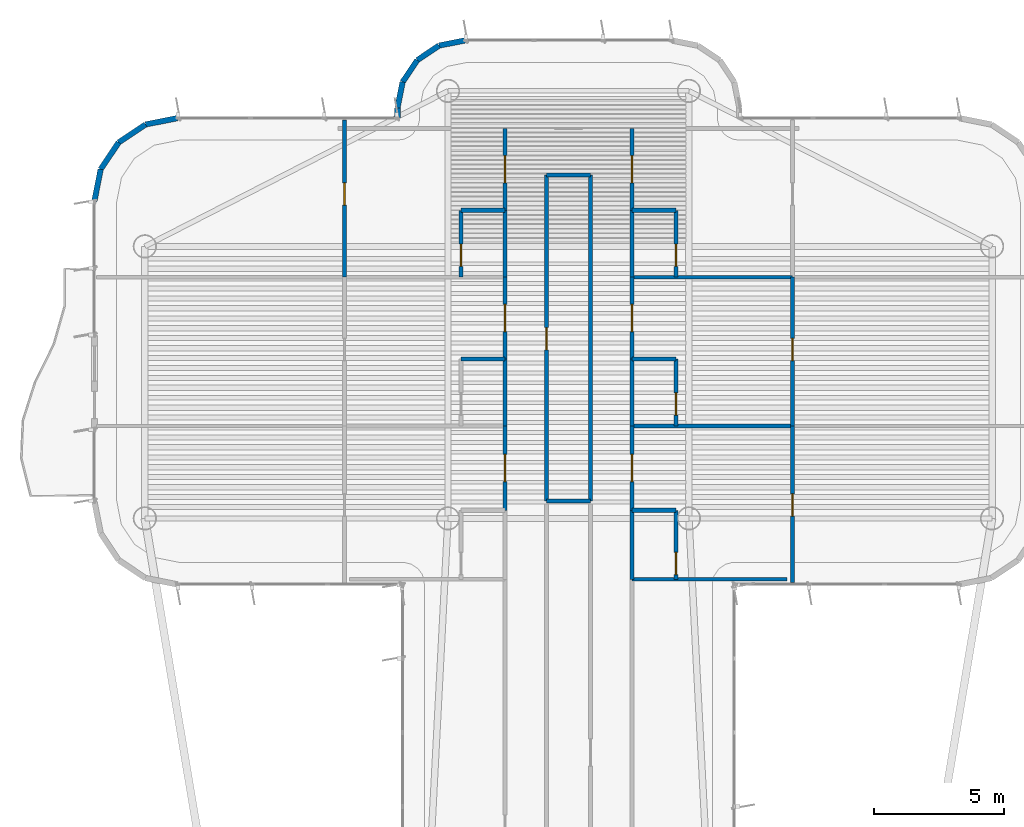
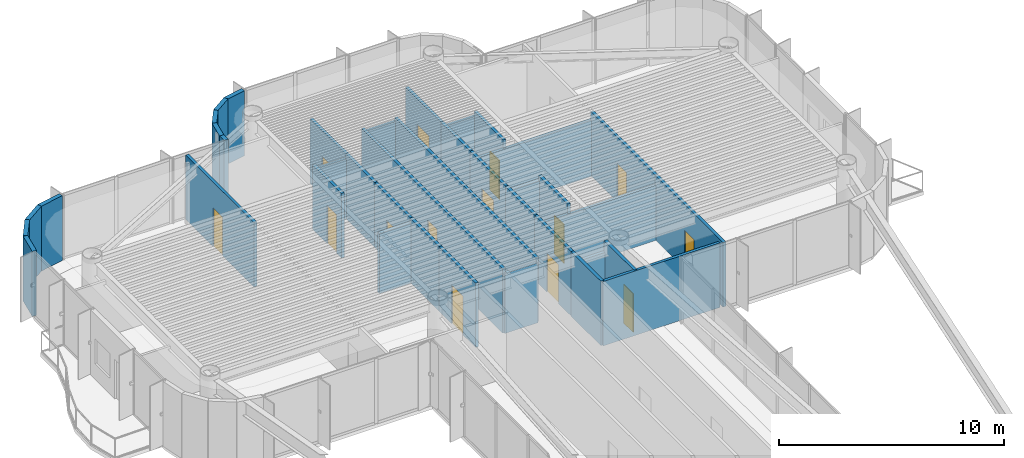
# One storey, part 12 of 16: 39 walls, 14 doors, 14 openings.
"""IFC4 building model written with IfcOpenShell, lengths in metres."""

from ifc_helpers import new_model, si_unit, direction, frame, frame_2d, origin, origin_2d, place, context, subcontext, project, spatial, rectangle, extrude, source, transform, mapped, material, layer, layer_set, type_object, element, fill, save


model = new_model("IFC4")

# Units and contexts
model_context = context("Model", 3, precision=1e-05, world=origin(), true_north=direction((0.0, 1.0)))
body_context = subcontext(model_context, "Body", "Model", "MODEL_VIEW")
ifc_project = project(units=[si_unit("LENGTHUNIT", "METRE"), si_unit("AREAUNIT", "SQUARE_METRE"), si_unit("VOLUMEUNIT", "CUBIC_METRE"), si_unit("PLANEANGLEUNIT", "RADIAN"), si_unit("MASSUNIT", "GRAM", prefix="KILO")], contexts=[model_context])

# Site, building, storey
site_placement = place(None, origin())
site = spatial("IfcSite", under=ifc_project, at=site_placement, CompositionType="ELEMENT")
building_placement = place(site_placement, origin())
building = spatial("IfcBuilding", under=site, at=building_placement, Name="Brelvock Crest Care Tower", CompositionType="ELEMENT")
storey_placement = place(building_placement, frame((0.0, 0.0, 234.360107421875)))
storey = spatial("IfcBuildingStorey", under=building, at=storey_placement, Name="L59", CompositionType="ELEMENT", Elevation=234.360107421875)

# Walls
ifc_material_1 = material(Name="Precast concrete N40 (40 MPa)", Category="concrete")
ifc_layer_1 = layer(ifc_material_1, 0.215087890625, Name="WL-EX2")
ifc_layer_set_1 = layer_set([ifc_layer_1], Name="Precast concrete N40 (40 MPa)")
wall_type_1 = type_object("IfcWallType", Name="WL-EX2", PredefinedType="SOLIDWALL", material=ifc_layer_set_1)
for number, where, z_axis, x_axis, name in (
    (1, (17.699951171875, 56.199951171875, 0.0), (0.0, 0.0, 1.0), (0.195138390419, 0.980775717779, 0.0), "L59 Rounded Corner Wall 18"),
    (2, (17.943603515625, 57.424560546875, 0.0), (0.0, 0.0, 1.0), (0.555557312883, 0.831478245117, 0.0), "L59 Rounded Corner Wall 19"),
    (3, (18.63720703125, 58.462646484375, 0.0), (0.0, 0.0, 1.0), (0.831387912822, 0.555692485475, 0.0), "L59 Rounded Corner Wall 20"),
    (4, (19.67529296875, 59.156494140625, 0.0), (0.0, 0.0, 1.0), (0.980813122964, 0.194950295773, 0.0), "L59 Rounded Corner Wall 21"),
):
    element("IfcWall", number, at=place(storey_placement, frame(where, z_axis=z_axis, x_axis=x_axis)), inside=storey, type_object=wall_type_1, Name=name, PredefinedType="SOLIDWALL", context=body_context, shape_type="SweptSolid", body=[
        extrude(rectangle(XDim=1.24853515625, YDim=0.215087890625, at=frame_2d((0.624267578125, 0.0))), origin(), (0.0, 0.0, 1.0), 3.52978515625),
    ])
wall_1_placement = place(storey_placement, frame((29.39990234375, 59.39990234375, 0.0), z_axis=(0.0, 0.0, 1.0), x_axis=(0.0, 1.0, 0.0)))
element("IfcWall", 5, at=wall_1_placement, inside=storey, type_object=wall_type_1, Name="L59 Rounded Corner Wall 23", PredefinedType="SOLIDWALL", context=body_context, shape_type="SweptSolid", body=[
    extrude(rectangle(XDim=0.400146484375, YDim=0.215087890625, at=frame_2d((0.2001953125, 0.0))), origin(), (0.0, 0.0, 1.0), 3.52978515625),
])
wall_2_placement = place(storey_placement, frame((29.39990234375, 59.800048828125, 0.0), z_axis=(0.0, 0.0, 1.0), x_axis=(0.195190360752, 0.980765376158, 0.0)))
element("IfcWall", 6, at=wall_2_placement, inside=storey, type_object=wall_type_1, Name="L59 Rounded Corner Wall 24", PredefinedType="SOLIDWALL", context=body_context, shape_type="SweptSolid", body=[
    extrude(rectangle(XDim=1.014404296875, YDim=0.215087890625, at=frame_2d((0.50732421875, 0.0))), origin(), (0.0, 0.0, 1.0), 3.52978515625),
])
wall_3_placement = place(storey_placement, frame((29.597900390625, 60.794921875, 0.0), z_axis=(0.0, 0.0, 1.0), x_axis=(0.555643898837, 0.831420385657, 0.0)))
element("IfcWall", 7, at=wall_3_placement, inside=storey, type_object=wall_type_1, Name="L59 Rounded Corner Wall 25", PredefinedType="SOLIDWALL", context=body_context, shape_type="SweptSolid", body=[
    extrude(rectangle(XDim=1.0146484375, YDim=0.215087890625, at=frame_2d((0.50732421875, 0.0))), origin(), (0.0, 0.0, 1.0), 3.52978515625),
])
wall_4_placement = place(storey_placement, frame((30.16162109375, 61.638427734375, 0.0), z_axis=(0.0, 0.0, 1.0), x_axis=(0.831346067305, 0.555755086685, 0.0)))
element("IfcWall", 8, at=wall_4_placement, inside=storey, type_object=wall_type_1, Name="L59 Rounded Corner Wall 26", PredefinedType="SOLIDWALL", context=body_context, shape_type="SweptSolid", body=[
    extrude(rectangle(XDim=1.014404296875, YDim=0.215087890625, at=frame_2d((0.50732421875, 0.0))), origin(), (0.0, 0.0, 1.0), 3.52978515625),
])
wall_5_placement = place(storey_placement, frame((31.0048828125, 62.2021484375, 0.0), z_axis=(0.0, 0.0, 1.0), x_axis=(0.980820570666, 0.194912821943, 0.0)))
element("IfcWall", 9, at=wall_5_placement, inside=storey, type_object=wall_type_1, Name="L59 Rounded Corner Wall 27", PredefinedType="SOLIDWALL", context=body_context, shape_type="SweptSolid", body=[
    extrude(rectangle(XDim=1.0146484375, YDim=0.215087890625, at=frame_2d((0.50732421875, 0.0))), origin(), (0.0, 0.0, 1.0), 3.52978515625),
])
ifc_material_2 = material(Name="Masonry Blockwork Acoustic Partition", Category="masonry")
ifc_layer_2 = layer(ifc_material_2, 0.14990234375, Name="WL-INT1")
ifc_layer_set_2 = layer_set([ifc_layer_2], Name="Masonry Blockwork Acoustic Partition")
wall_type_2 = type_object("IfcWallType", Name="WL-INT1", PredefinedType="PARTITIONING", material=ifc_layer_set_2)
wall_6_placement = place(storey_placement, frame((38.449951171875, 41.60009765625, 0.0), z_axis=(0.0, 0.0, 1.0), x_axis=(1.0, 0.0, 0.0)))
element("IfcWall", 10, at=wall_6_placement, inside=storey, type_object=wall_type_2, Name="L59 Interior Wall WL-BX-L59-CS-ES1-S", PredefinedType="PARTITIONING", context=body_context, shape_type="SweptSolid", body=[
    extrude(rectangle(XDim=5.993408203125, YDim=0.14990234375, at=frame_2d((2.99658203125, 0.0))), origin(), (0.0, 0.0, 1.0), 3.5),
])
wall_7_placement = place(storey_placement, frame((35.14990234375, 44.6201171875, 0.0), z_axis=(0.0, 0.0, 1.0), x_axis=(1.0, 0.0, 0.0)))
element("IfcWall", 11, at=wall_7_placement, inside=storey, type_object=wall_type_2, Name="L59 Interior Wall WL-BX-L59-ISKT-S", PredefinedType="PARTITIONING", context=body_context, shape_type="SweptSolid", body=[
    extrude(rectangle(XDim=1.7001953125, YDim=0.14990234375, at=frame_2d((0.85009765625, 0.0))), origin(), (0.0, 0.0, 1.0), 3.2587890625),
])
wall_8_placement = place(storey_placement, frame((38.449951171875, 47.51611328125, 0.0), z_axis=(0.0, 0.0, 1.0), x_axis=(1.0, 0.0, 0.0)))
element("IfcWall", 12, at=wall_8_placement, inside=storey, type_object=wall_type_2, Name="L59 Interior Wall WL-BX-L59-CS-ES1-N", PredefinedType="PARTITIONING", context=body_context, shape_type="SweptSolid", body=[
    extrude(rectangle(XDim=6.199951171875, YDim=0.14990234375, at=frame_2d((3.10009765625, 0.0))), origin(), (0.0, 0.0, 1.0), 2.98193359375),
])
wall_9_placement = place(storey_placement, frame((38.449951171875, 53.258056640625, 0.0), z_axis=(0.0, 0.0, 1.0), x_axis=(1.0, 0.0, 0.0)))
element("IfcWall", 13, at=wall_9_placement, inside=storey, type_object=wall_type_2, Name="L59 Interior Wall WL-BX-L59-CS-ES2-N", PredefinedType="PARTITIONING", context=body_context, shape_type="SweptSolid", body=[
    extrude(rectangle(XDim=6.199951171875, YDim=0.14990234375, at=frame_2d((3.10009765625, 0.0))), origin(), (0.0, 0.0, 1.0), 3.054931640625),
])
wall_10_placement = place(storey_placement, frame((35.14990234375, 57.199951171875, 0.0), z_axis=(0.0, 0.0, 1.0), x_axis=(1.0, 0.0, 0.0)))
element("IfcWall", 14, at=wall_10_placement, inside=storey, type_object=wall_type_2, Name="L59 Interior Wall WL-BX-L59-ISKT-N", PredefinedType="PARTITIONING", context=body_context, shape_type="SweptSolid", body=[
    extrude(rectangle(XDim=1.7001953125, YDim=0.14990234375, at=frame_2d((0.85009765625, 0.0))), origin(), (0.0, 0.0, 1.0), 3.307861328125),
])

# Wall, opening, door
wall_11_placement = place(storey_placement, frame((27.35009765625, 53.258056640625, 0.0), z_axis=(0.0, 0.0, 1.0), x_axis=(0.0, 1.0, 0.0)))
wall_11 = element("IfcWall", 15, at=wall_11_placement, inside=storey, type_object=wall_type_2, Name="L59 Interior Wall WL-RM-L59-WS3S", PredefinedType="PARTITIONING", context=body_context, shape_type="SweptSolid", body=[
    extrude(rectangle(XDim=6.064453125, YDim=0.14990234375, at=frame_2d((3.0322265625, 0.0))), origin(), (0.0, 0.0, 1.0), 3.5),
])
opening_1_placement = place(wall_11_placement, frame((2.781982421875, 0.0, 0.0)))
opening_1 = element("IfcOpeningElement", 16, at=opening_1_placement, cuts=wall_11, Name="Opening ID-1", PredefinedType="OPENING", context=body_context, shape_type="SweptSolid", body=[
    extrude(rectangle(XDim=0.860107421875, YDim=2.10009765625, at=origin_2d()), frame((0.43017578125, 0.0849609375, 1.050048828125), z_axis=(0.0, -1.0, 0.0), x_axis=(1.0, 0.0, 0.0)), (0.0, 0.0, 1.0), 0.169921875),
])
ifc_material_3 = material(Name="Engineered Hardwood Timber", Category="wood")
door_type_1 = type_object("IfcDoorType", Name="DR-INT1", OperationType="NOTDEFINED", PredefinedType="DOOR", material=ifc_material_3)
shared_shape_1 = source(origin(), body_context, "Body", "SweptSolid", [
    extrude(rectangle(XDim=0.860107421875, YDim=2.10009765625, at=origin_2d()), frame((0.43017578125, 0.02490234375, 1.050048828125), z_axis=(0.0, -1.0, 0.0), x_axis=(1.0, 0.0, 0.0)), (0.0, 0.0, 1.0), 0.050048828125),
])
door_1_placement = place(opening_1_placement, origin())
door_1 = element("IfcDoor", 17, at=door_1_placement, inside=storey, type_object=door_type_1, Name="L59 Assisted Care Mobility Store Door WS3S", OperationType="SINGLE_SWING_LEFT", OverallHeight=2.10009765625, OverallWidth=0.860107421875, PredefinedType="DOOR", context=body_context, shape_type="MappedRepresentation", body=[
    mapped(shared_shape_1, transform((0.0, 0.0, 0.0), x_axis=(1.0, 0.0, 0.0), y_axis=(0.0, 1.0, 0.0), z_axis=(0.0, 0.0, 1.0), scale=1.0)),
])
fill(opening_1, door_1)

wall_12_placement = place(storey_placement, frame((33.550048828125, 44.261962890625, 0.0), z_axis=(0.0, 0.0, 1.0), x_axis=(0.0, 1.0, 0.0)))
wall_12 = element("IfcWall", 18, at=wall_12_placement, inside=storey, type_object=wall_type_2, Name="L59 Interior Wall WL-CENT-L59-WS1", PredefinedType="PARTITIONING", context=body_context, shape_type="SweptSolid", body=[
    extrude(rectangle(XDim=3.254150390625, YDim=0.14990234375, at=frame_2d((1.626953125, 0.0))), origin(), (0.0, 0.0, 1.0), 3.5),
])
opening_2_placement = place(wall_12_placement, frame((1.10693359375, 0.0, 0.0)))
opening_2 = element("IfcOpeningElement", 19, at=opening_2_placement, cuts=wall_12, Name="Opening CD-1", PredefinedType="OPENING", context=body_context, shape_type="SweptSolid", body=[
    extrude(rectangle(XDim=1.050048828125, YDim=2.10009765625, at=origin_2d()), frame((0.52490234375, 0.0849609375, 1.050048828125), z_axis=(0.0, -1.0, 0.0), x_axis=(1.0, 0.0, 0.0)), (0.0, 0.0, 1.0), 0.169921875),
])
door_type_2 = type_object("IfcDoorType", Name="DR-CARE1", OperationType="NOTDEFINED", PredefinedType="DOOR", material=ifc_material_3)
shared_shape_2 = source(origin(), body_context, "Body", "SweptSolid", [
    extrude(rectangle(XDim=1.050048828125, YDim=2.10009765625, at=origin_2d()), frame((0.52490234375, 0.02490234375, 1.050048828125), z_axis=(0.0, -1.0, 0.0), x_axis=(1.0, 0.0, 0.0)), (0.0, 0.0, 1.0), 0.050048828125),
])
door_2_placement = place(opening_2_placement, origin())
door_2 = element("IfcDoor", 20, at=door_2_placement, inside=storey, type_object=door_type_2, Name="L59 Care Suite Door WS1", OperationType="SINGLE_SWING_LEFT", OverallHeight=2.10009765625, OverallWidth=1.050048828125, PredefinedType="DOOR", context=body_context, shape_type="MappedRepresentation", body=[
    mapped(shared_shape_2, transform((0.0, 0.0, 0.0), x_axis=(1.0, 0.0, 0.0), y_axis=(0.0, 1.0, 0.0), z_axis=(0.0, 0.0, 1.0), scale=1.0)),
])
fill(opening_2, door_2)

wall_13_placement = place(storey_placement, frame((33.550048828125, 50.10009765625, 0.0), z_axis=(0.0, 0.0, 1.0), x_axis=(0.0, 1.0, 0.0)))
wall_13 = element("IfcWall", 21, at=wall_13_placement, inside=storey, type_object=wall_type_2, Name="L59 Interior Wall WL-CENT-L59-WS2", PredefinedType="PARTITIONING", context=body_context, shape_type="SweptSolid", body=[
    extrude(rectangle(XDim=3.157958984375, YDim=0.14990234375, at=frame_2d((1.5791015625, 0.0))), origin(), (0.0, 0.0, 1.0), 3.5),
])
opening_3_placement = place(wall_13_placement, frame((1.05908203125, 0.0, 0.0)))
opening_3 = element("IfcOpeningElement", 22, at=opening_3_placement, cuts=wall_13, Name="Opening CD-1", PredefinedType="OPENING", context=body_context, shape_type="SweptSolid", body=[
    extrude(rectangle(XDim=1.050048828125, YDim=2.10009765625, at=origin_2d()), frame((0.52490234375, 0.0849609375, 1.050048828125), z_axis=(0.0, -1.0, 0.0), x_axis=(1.0, 0.0, 0.0)), (0.0, 0.0, 1.0), 0.169921875),
])
door_3_placement = place(opening_3_placement, origin())
door_3 = element("IfcDoor", 23, at=door_3_placement, inside=storey, type_object=door_type_2, Name="L59 Care Suite Door WS2", OperationType="SINGLE_SWING_LEFT", OverallHeight=2.10009765625, OverallWidth=1.050048828125, PredefinedType="DOOR", context=body_context, shape_type="MappedRepresentation", body=[
    mapped(shared_shape_2, transform((0.0, 0.0, 0.0), x_axis=(1.0, 0.0, 0.0), y_axis=(0.0, 1.0, 0.0), z_axis=(0.0, 0.0, 1.0), scale=1.0)),
])
fill(opening_3, door_3)

wall_14_placement = place(storey_placement, frame((33.550048828125, 55.842041015625, 0.0), z_axis=(0.0, 0.0, 1.0), x_axis=(0.0, 1.0, 0.0)))
wall_14 = element("IfcWall", 24, at=wall_14_placement, inside=storey, type_object=wall_type_2, Name="L59 Interior Wall WL-CENT-L59-WS3", PredefinedType="PARTITIONING", context=body_context, shape_type="SweptSolid", body=[
    extrude(rectangle(XDim=3.157958984375, YDim=0.14990234375, at=frame_2d((1.5791015625, 0.0))), origin(), (0.0, 0.0, 1.0), 3.5),
])
opening_4_placement = place(wall_14_placement, frame((1.05908203125, 0.0, 0.0)))
opening_4 = element("IfcOpeningElement", 25, at=opening_4_placement, cuts=wall_14, Name="Opening CD-1", PredefinedType="OPENING", context=body_context, shape_type="SweptSolid", body=[
    extrude(rectangle(XDim=1.050048828125, YDim=2.10009765625, at=origin_2d()), frame((0.52490234375, 0.0849609375, 1.050048828125), z_axis=(0.0, -1.0, 0.0), x_axis=(1.0, 0.0, 0.0)), (0.0, 0.0, 1.0), 0.169921875),
])
door_4_placement = place(opening_4_placement, origin())
door_4 = element("IfcDoor", 26, at=door_4_placement, inside=storey, type_object=door_type_2, Name="L59 Care Suite Door WS3", OperationType="SINGLE_SWING_LEFT", OverallHeight=2.10009765625, OverallWidth=1.050048828125, PredefinedType="DOOR", context=body_context, shape_type="MappedRepresentation", body=[
    mapped(shared_shape_2, transform((0.0, 0.0, 0.0), x_axis=(1.0, 0.0, 0.0), y_axis=(0.0, 1.0, 0.0), z_axis=(0.0, 0.0, 1.0), scale=1.0)),
])
fill(opening_4, door_4)

wall_15_placement = place(storey_placement, frame((35.14990234375, 44.6201171875, 0.0), z_axis=(0.0, 0.0, 1.0), x_axis=(0.0, 1.0, 0.0)))
wall_15 = element("IfcWall", 27, at=wall_15_placement, inside=storey, type_object=wall_type_2, Name="L59 Interior Wall WL-RM-L59-ISKT", PredefinedType="PARTITIONING", context=body_context, shape_type="SweptSolid", body=[
    extrude(rectangle(XDim=12.579833984375, YDim=0.14990234375, at=frame_2d((6.2900390625, 0.0))), origin(), (0.0, 0.0, 1.0), 3.5),
])
opening_5_placement = place(wall_15_placement, frame((5.830078125, 0.0, 0.0)))
opening_5 = element("IfcOpeningElement", 28, at=opening_5_placement, cuts=wall_15, Name="Opening ID-1", PredefinedType="OPENING", context=body_context, shape_type="SweptSolid", body=[
    extrude(rectangle(XDim=0.860107421875, YDim=2.10009765625, at=origin_2d()), frame((0.43017578125, 0.0849609375, 1.050048828125), z_axis=(0.0, -1.0, 0.0), x_axis=(1.0, 0.0, 0.0)), (0.0, 0.0, 1.0), 0.169921875),
])
door_5_placement = place(opening_5_placement, origin())
door_5 = element("IfcDoor", 29, at=door_5_placement, inside=storey, type_object=door_type_1, Name="L59 Communal Tea and Nutrition Pantry Door ISKT", OperationType="SINGLE_SWING_LEFT", OverallHeight=2.10009765625, OverallWidth=0.860107421875, PredefinedType="DOOR", context=body_context, shape_type="MappedRepresentation", body=[
    mapped(shared_shape_1, transform((0.0, 0.0, 0.0), x_axis=(1.0, 0.0, 0.0), y_axis=(0.0, 1.0, 0.0), z_axis=(0.0, 0.0, 1.0), scale=1.0)),
])
fill(opening_5, door_5)

# Wall
wall_16_placement = place(storey_placement, frame((36.85009765625, 44.6201171875, 0.0), z_axis=(0.0, 0.0, 1.0), x_axis=(0.0, 1.0, 0.0)))
element("IfcWall", 30, at=wall_16_placement, inside=storey, type_object=wall_type_2, Name="L59 Interior Wall WL-BX-L59-ISKT-E", PredefinedType="PARTITIONING", context=body_context, shape_type="SweptSolid", body=[
    extrude(rectangle(XDim=12.579833984375, YDim=0.14990234375, at=frame_2d((6.2900390625, 0.0))), origin(), (0.0, 0.0, 1.0), 3.5),
])

# Wall, opening, door
wall_17_placement = place(storey_placement, frame((38.449951171875, 44.261962890625, 0.0), z_axis=(0.0, 0.0, 1.0), x_axis=(0.0, 1.0, 0.0)))
wall_17 = element("IfcWall", 31, at=wall_17_placement, inside=storey, type_object=wall_type_2, Name="L59 Interior Wall WL-CENT-L59-ES1", PredefinedType="PARTITIONING", context=body_context, shape_type="SweptSolid", body=[
    extrude(rectangle(XDim=3.254150390625, YDim=0.14990234375, at=frame_2d((1.626953125, 0.0))), origin(), (0.0, 0.0, 1.0), 3.5),
])
opening_6_placement = place(wall_17_placement, frame((1.10693359375, 0.0, 0.0)))
opening_6 = element("IfcOpeningElement", 32, at=opening_6_placement, cuts=wall_17, Name="Opening CD-1", PredefinedType="OPENING", context=body_context, shape_type="SweptSolid", body=[
    extrude(rectangle(XDim=1.050048828125, YDim=2.10009765625, at=origin_2d()), frame((0.52490234375, 0.0849609375, 1.050048828125), z_axis=(0.0, -1.0, 0.0), x_axis=(1.0, 0.0, 0.0)), (0.0, 0.0, 1.0), 0.169921875),
])
door_6_placement = place(opening_6_placement, origin())
door_6 = element("IfcDoor", 33, at=door_6_placement, inside=storey, type_object=door_type_2, Name="L59 Care Suite Door ES1", OperationType="SINGLE_SWING_LEFT", OverallHeight=2.10009765625, OverallWidth=1.050048828125, PredefinedType="DOOR", context=body_context, shape_type="MappedRepresentation", body=[
    mapped(shared_shape_2, transform((0.0, 0.0, 0.0), x_axis=(1.0, 0.0, 0.0), y_axis=(0.0, 1.0, 0.0), z_axis=(0.0, 0.0, 1.0), scale=1.0)),
])
fill(opening_6, door_6)

wall_18_placement = place(storey_placement, frame((38.449951171875, 50.10009765625, 0.0), z_axis=(0.0, 0.0, 1.0), x_axis=(0.0, 1.0, 0.0)))
wall_18 = element("IfcWall", 34, at=wall_18_placement, inside=storey, type_object=wall_type_2, Name="L59 Interior Wall WL-CENT-L59-ES2", PredefinedType="PARTITIONING", context=body_context, shape_type="SweptSolid", body=[
    extrude(rectangle(XDim=3.157958984375, YDim=0.14990234375, at=frame_2d((1.5791015625, 0.0))), origin(), (0.0, 0.0, 1.0), 3.5),
])
opening_7_placement = place(wall_18_placement, frame((1.05908203125, 0.0, 0.0)))
opening_7 = element("IfcOpeningElement", 35, at=opening_7_placement, cuts=wall_18, Name="Opening CD-1", PredefinedType="OPENING", context=body_context, shape_type="SweptSolid", body=[
    extrude(rectangle(XDim=1.050048828125, YDim=2.10009765625, at=origin_2d()), frame((0.52490234375, 0.0849609375, 1.050048828125), z_axis=(0.0, -1.0, 0.0), x_axis=(1.0, 0.0, 0.0)), (0.0, 0.0, 1.0), 0.169921875),
])
door_7_placement = place(opening_7_placement, origin())
door_7 = element("IfcDoor", 36, at=door_7_placement, inside=storey, type_object=door_type_2, Name="L59 Care Suite Door ES2", OperationType="SINGLE_SWING_LEFT", OverallHeight=2.10009765625, OverallWidth=1.050048828125, PredefinedType="DOOR", context=body_context, shape_type="MappedRepresentation", body=[
    mapped(shared_shape_2, transform((0.0, 0.0, 0.0), x_axis=(1.0, 0.0, 0.0), y_axis=(0.0, 1.0, 0.0), z_axis=(0.0, 0.0, 1.0), scale=1.0)),
])
fill(opening_7, door_7)

wall_19_placement = place(storey_placement, frame((38.449951171875, 55.842041015625, 0.0), z_axis=(0.0, 0.0, 1.0), x_axis=(0.0, 1.0, 0.0)))
wall_19 = element("IfcWall", 37, at=wall_19_placement, inside=storey, type_object=wall_type_2, Name="L59 Interior Wall WL-CENT-L59-ES3", PredefinedType="PARTITIONING", context=body_context, shape_type="SweptSolid", body=[
    extrude(rectangle(XDim=3.157958984375, YDim=0.14990234375, at=frame_2d((1.5791015625, 0.0))), origin(), (0.0, 0.0, 1.0), 3.5),
])
opening_8_placement = place(wall_19_placement, frame((1.05908203125, 0.0, 0.0)))
opening_8 = element("IfcOpeningElement", 38, at=opening_8_placement, cuts=wall_19, Name="Opening CD-1", PredefinedType="OPENING", context=body_context, shape_type="SweptSolid", body=[
    extrude(rectangle(XDim=1.050048828125, YDim=2.10009765625, at=origin_2d()), frame((0.52490234375, 0.0849609375, 1.050048828125), z_axis=(0.0, -1.0, 0.0), x_axis=(1.0, 0.0, 0.0)), (0.0, 0.0, 1.0), 0.169921875),
])
door_8_placement = place(opening_8_placement, origin())
door_8 = element("IfcDoor", 39, at=door_8_placement, inside=storey, type_object=door_type_2, Name="L59 Care Suite Door ES3", OperationType="SINGLE_SWING_LEFT", OverallHeight=2.10009765625, OverallWidth=1.050048828125, PredefinedType="DOOR", context=body_context, shape_type="MappedRepresentation", body=[
    mapped(shared_shape_2, transform((0.0, 0.0, 0.0), x_axis=(1.0, 0.0, 0.0), y_axis=(0.0, 1.0, 0.0), z_axis=(0.0, 0.0, 1.0), scale=1.0)),
])
fill(opening_8, door_8)

wall_20_placement = place(storey_placement, frame((44.64990234375, 41.47998046875, 0.0), z_axis=(0.0, 0.0, 1.0), x_axis=(0.0, 1.0, 0.0)))
wall_20 = element("IfcWall", 40, at=wall_20_placement, inside=storey, type_object=wall_type_2, Name="L59 Interior Wall WL-RM-L59-ES1S", PredefinedType="PARTITIONING", context=body_context, shape_type="SweptSolid", body=[
    extrude(rectangle(XDim=6.0361328125, YDim=0.14990234375, at=frame_2d((3.01806640625, 0.0))), origin(), (0.0, 0.0, 1.0), 3.5),
])
opening_9_placement = place(wall_20_placement, frame((2.56005859375, 0.0, 0.0)))
opening_9 = element("IfcOpeningElement", 41, at=opening_9_placement, cuts=wall_20, Name="Opening ID-1", PredefinedType="OPENING", context=body_context, shape_type="SweptSolid", body=[
    extrude(rectangle(XDim=0.860107421875, YDim=2.10009765625, at=origin_2d()), frame((0.43017578125, 0.0849609375, 1.050048828125), z_axis=(0.0, -1.0, 0.0), x_axis=(1.0, 0.0, 0.0)), (0.0, 0.0, 1.0), 0.169921875),
])
door_9_placement = place(opening_9_placement, origin())
door_9 = element("IfcDoor", 42, at=door_9_placement, inside=storey, type_object=door_type_1, Name="L59 Assisted Care Mobility Store Door ES1S", OperationType="SINGLE_SWING_LEFT", OverallHeight=2.10009765625, OverallWidth=0.860107421875, PredefinedType="DOOR", context=body_context, shape_type="MappedRepresentation", body=[
    mapped(shared_shape_1, transform((0.0, 0.0, 0.0), x_axis=(1.0, 0.0, 0.0), y_axis=(0.0, 1.0, 0.0), z_axis=(0.0, 0.0, 1.0), scale=1.0)),
])
fill(opening_9, door_9)

wall_21_placement = place(storey_placement, frame((44.64990234375, 47.51611328125, 0.0), z_axis=(0.0, 0.0, 1.0), x_axis=(0.0, 1.0, 0.0)))
wall_21 = element("IfcWall", 43, at=wall_21_placement, inside=storey, type_object=wall_type_2, Name="L59 Interior Wall WL-RM-L59-ES2S", PredefinedType="PARTITIONING", context=body_context, shape_type="SweptSolid", body=[
    extrude(rectangle(XDim=5.741943359375, YDim=0.14990234375, at=frame_2d((2.87109375, 0.0))), origin(), (0.0, 0.0, 1.0), 3.5),
])
opening_10_placement = place(wall_21_placement, frame((2.52392578125, 0.0, 0.0)))
opening_10 = element("IfcOpeningElement", 44, at=opening_10_placement, cuts=wall_21, Name="Opening ID-1", PredefinedType="OPENING", context=body_context, shape_type="SweptSolid", body=[
    extrude(rectangle(XDim=0.860107421875, YDim=2.10009765625, at=origin_2d()), frame((0.43017578125, 0.0849609375, 1.050048828125), z_axis=(0.0, -1.0, 0.0), x_axis=(1.0, 0.0, 0.0)), (0.0, 0.0, 1.0), 0.169921875),
])
door_10_placement = place(opening_10_placement, origin())
door_10 = element("IfcDoor", 45, at=door_10_placement, inside=storey, type_object=door_type_1, Name="L59 Assisted Care Mobility Store Door ES2S", OperationType="SINGLE_SWING_LEFT", OverallHeight=2.10009765625, OverallWidth=0.860107421875, PredefinedType="DOOR", context=body_context, shape_type="MappedRepresentation", body=[
    mapped(shared_shape_1, transform((0.0, 0.0, 0.0), x_axis=(1.0, 0.0, 0.0), y_axis=(0.0, 1.0, 0.0), z_axis=(0.0, 0.0, 1.0), scale=1.0)),
])
fill(opening_10, door_10)

# Walls
ifc_material_4 = material(Name="Gypsum Plasterboard Partition", Category="gypsum")
ifc_layer_3 = layer(ifc_material_4, 0.159912109375, Name="WL-PLM1")
ifc_layer_set_3 = layer_set([ifc_layer_3], Name="Gypsum Plasterboard Partition")
wall_type_3 = type_object("IfcWallType", Name="WL-PLM1", PredefinedType="PLUMBINGWALL", material=ifc_layer_set_3)
wall_22_placement = place(storey_placement, frame((38.449951171875, 44.261962890625, 0.0), z_axis=(0.0, 0.0, 1.0), x_axis=(1.0, 0.0, 0.0)))
element("IfcWall", 46, at=wall_22_placement, inside=storey, type_object=wall_type_3, Name="L59 Interior Wall WL-CENS2-L59-ES1", PredefinedType="PLUMBINGWALL", context=body_context, shape_type="SweptSolid", body=[
    extrude(rectangle(XDim=1.699951171875, YDim=0.159912109375, at=frame_2d((0.85009765625, 0.0))), origin(), (0.0, 0.0, 1.0), 2.90283203125),
])
for number, where, z_axis, x_axis, name in (
    (47, (31.85009765625, 50.10009765625, 0.0), (0.0, 0.0, 1.0), (1.0, 0.0, 0.0), "L59 Interior Wall WL-CENS2-L59-WS2"),
    (48, (38.449951171875, 50.10009765625, 0.0), (0.0, 0.0, 1.0), (1.0, 0.0, 0.0), "L59 Interior Wall WL-CENS2-L59-ES2"),
    (49, (31.85009765625, 55.842041015625, 0.0), (0.0, 0.0, 1.0), (1.0, 0.0, 0.0), "L59 Interior Wall WL-CENS2-L59-WS3"),
    (50, (38.449951171875, 55.842041015625, 0.0), (0.0, 0.0, 1.0), (1.0, 0.0, 0.0), "L59 Interior Wall WL-CENS2-L59-ES3"),
):
    element("IfcWall", number, at=place(storey_placement, frame(where, z_axis=z_axis, x_axis=x_axis)), inside=storey, type_object=wall_type_3, Name=name, PredefinedType="PLUMBINGWALL", context=body_context, shape_type="SweptSolid", body=[
        extrude(rectangle(XDim=1.699951171875, YDim=0.159912109375, at=frame_2d((0.85009765625, 0.0))), origin(), (0.0, 0.0, 1.0), 3.2587890625),
    ])

# Wall, opening, door
wall_23_placement = place(storey_placement, frame((31.85009765625, 53.258056640625, 0.0), z_axis=(0.0, 0.0, 1.0), x_axis=(0.0, 1.0, 0.0)))
wall_23 = element("IfcWall", 51, at=wall_23_placement, inside=storey, type_object=wall_type_3, Name="L59 Interior Wall WL-CENS1-L59-WS3", PredefinedType="PLUMBINGWALL", context=body_context, shape_type="SweptSolid", body=[
    extrude(rectangle(XDim=2.583984375, YDim=0.159912109375, at=frame_2d((1.2919921875, 0.0))), origin(), (0.0, 0.0, 1.0), 3.5),
])
opening_11_placement = place(wall_23_placement, frame((0.419921875, 0.0, 0.0)))
opening_11 = element("IfcOpeningElement", 52, at=opening_11_placement, cuts=wall_23, Name="Opening WD-1", PredefinedType="OPENING", context=body_context, shape_type="SweptSolid", body=[
    extrude(rectangle(XDim=0.860107421875, YDim=2.10009765625, at=origin_2d()), frame((0.43017578125, 0.08984375, 1.050048828125), z_axis=(0.0, -1.0, 0.0), x_axis=(1.0, 0.0, 0.0)), (0.0, 0.0, 1.0), 0.179931640625),
])
door_type_3 = type_object("IfcDoorType", Name="DR-WC1", OperationType="NOTDEFINED", PredefinedType="DOOR", material=ifc_material_3)
shared_shape_3 = source(origin(), body_context, "Body", "SweptSolid", [
    extrude(rectangle(XDim=0.860107421875, YDim=2.10009765625, at=origin_2d()), frame((0.43017578125, 0.02490234375, 1.050048828125), z_axis=(0.0, -1.0, 0.0), x_axis=(1.0, 0.0, 0.0)), (0.0, 0.0, 1.0), 0.050048828125),
])
door_11_placement = place(opening_11_placement, origin())
door_11 = element("IfcDoor", 53, at=door_11_placement, inside=storey, type_object=door_type_3, Name="L59 Care En-Suite Door WS3", OperationType="SINGLE_SWING_LEFT", OverallHeight=2.10009765625, OverallWidth=0.860107421875, PredefinedType="DOOR", context=body_context, shape_type="MappedRepresentation", body=[
    mapped(shared_shape_3, transform((0.0, 0.0, 0.0), x_axis=(1.0, 0.0, 0.0), y_axis=(0.0, 1.0, 0.0), z_axis=(0.0, 0.0, 1.0), scale=1.0)),
])
fill(opening_11, door_11)

# Walls
for number, where, z_axis, x_axis, name in (
    (54, (33.550048828125, 47.51611328125, 0.0), (0.0, 0.0, 1.0), (0.0, 1.0, 0.0), "L59 Interior Wall WL-CENS0-L59-WS2"),
    (55, (33.550048828125, 53.258056640625, 0.0), (0.0, 0.0, 1.0), (0.0, 1.0, 0.0), "L59 Interior Wall WL-CENS0-L59-WS3"),
):
    element("IfcWall", number, at=place(storey_placement, frame(where, z_axis=z_axis, x_axis=x_axis)), inside=storey, type_object=wall_type_3, Name=name, PredefinedType="PLUMBINGWALL", context=body_context, shape_type="SweptSolid", body=[
        extrude(rectangle(XDim=2.583984375, YDim=0.159912109375, at=frame_2d((1.2919921875, 0.0))), origin(), (0.0, 0.0, 1.0), 3.5),
    ])
wall_24_placement = place(storey_placement, frame((38.449951171875, 41.60009765625, 0.0), z_axis=(0.0, 0.0, 1.0), x_axis=(0.0, 1.0, 0.0)))
element("IfcWall", 56, at=wall_24_placement, inside=storey, type_object=wall_type_3, Name="L59 Interior Wall WL-CENS0-L59-ES1", PredefinedType="PLUMBINGWALL", context=body_context, shape_type="SweptSolid", body=[
    extrude(rectangle(XDim=2.661865234375, YDim=0.159912109375, at=frame_2d((1.3310546875, 0.0))), origin(), (0.0, 0.0, 1.0), 3.5),
])
for number, where, z_axis, x_axis, name in (
    (57, (38.449951171875, 47.51611328125, 0.0), (0.0, 0.0, 1.0), (0.0, 1.0, 0.0), "L59 Interior Wall WL-CENS0-L59-ES2"),
    (58, (38.449951171875, 53.258056640625, 0.0), (0.0, 0.0, 1.0), (0.0, 1.0, 0.0), "L59 Interior Wall WL-CENS0-L59-ES3"),
):
    element("IfcWall", number, at=place(storey_placement, frame(where, z_axis=z_axis, x_axis=x_axis)), inside=storey, type_object=wall_type_3, Name=name, PredefinedType="PLUMBINGWALL", context=body_context, shape_type="SweptSolid", body=[
        extrude(rectangle(XDim=2.583984375, YDim=0.159912109375, at=frame_2d((1.2919921875, 0.0))), origin(), (0.0, 0.0, 1.0), 3.5),
    ])

# Wall, opening, door
wall_25_placement = place(storey_placement, frame((40.14990234375, 41.60009765625, 0.0), z_axis=(0.0, 0.0, 1.0), x_axis=(0.0, 1.0, 0.0)))
wall_25 = element("IfcWall", 59, at=wall_25_placement, inside=storey, type_object=wall_type_3, Name="L59 Interior Wall WL-CENS1-L59-ES1", PredefinedType="PLUMBINGWALL", context=body_context, shape_type="SweptSolid", body=[
    extrude(rectangle(XDim=2.661865234375, YDim=0.159912109375, at=frame_2d((1.3310546875, 0.0))), origin(), (0.0, 0.0, 1.0), 3.5),
])
opening_12_placement = place(wall_25_placement, frame((0.179931640625, 0.0, 0.0)))
opening_12 = element("IfcOpeningElement", 60, at=opening_12_placement, cuts=wall_25, Name="Opening WD-1", PredefinedType="OPENING", context=body_context, shape_type="SweptSolid", body=[
    extrude(rectangle(XDim=0.860107421875, YDim=2.10009765625, at=origin_2d()), frame((0.43017578125, 0.08984375, 1.050048828125), z_axis=(0.0, -1.0, 0.0), x_axis=(1.0, 0.0, 0.0)), (0.0, 0.0, 1.0), 0.179931640625),
])
door_12_placement = place(opening_12_placement, origin())
door_12 = element("IfcDoor", 61, at=door_12_placement, inside=storey, type_object=door_type_3, Name="L59 Care En-Suite Door ES1", OperationType="SINGLE_SWING_RIGHT", OverallHeight=2.10009765625, OverallWidth=0.860107421875, PredefinedType="DOOR", context=body_context, shape_type="MappedRepresentation", body=[
    mapped(shared_shape_3, transform((0.0, 0.0, 0.0), x_axis=(1.0, 0.0, 0.0), y_axis=(0.0, 1.0, 0.0), z_axis=(0.0, 0.0, 1.0), scale=1.0)),
])
fill(opening_12, door_12)

wall_26_placement = place(storey_placement, frame((40.14990234375, 47.51611328125, 0.0), z_axis=(0.0, 0.0, 1.0), x_axis=(0.0, 1.0, 0.0)))
wall_26 = element("IfcWall", 62, at=wall_26_placement, inside=storey, type_object=wall_type_3, Name="L59 Interior Wall WL-CENS1-L59-ES2", PredefinedType="PLUMBINGWALL", context=body_context, shape_type="SweptSolid", body=[
    extrude(rectangle(XDim=2.583984375, YDim=0.159912109375, at=frame_2d((1.2919921875, 0.0))), origin(), (0.0, 0.0, 1.0), 3.5),
])
opening_13_placement = place(wall_26_placement, frame((0.419921875, 0.0, 0.0)))
opening_13 = element("IfcOpeningElement", 63, at=opening_13_placement, cuts=wall_26, Name="Opening WD-1", PredefinedType="OPENING", context=body_context, shape_type="SweptSolid", body=[
    extrude(rectangle(XDim=0.860107421875, YDim=2.10009765625, at=origin_2d()), frame((0.43017578125, 0.08984375, 1.050048828125), z_axis=(0.0, -1.0, 0.0), x_axis=(1.0, 0.0, 0.0)), (0.0, 0.0, 1.0), 0.179931640625),
])
door_13_placement = place(opening_13_placement, origin())
door_13 = element("IfcDoor", 64, at=door_13_placement, inside=storey, type_object=door_type_3, Name="L59 Care En-Suite Door ES2", OperationType="SINGLE_SWING_RIGHT", OverallHeight=2.10009765625, OverallWidth=0.860107421875, PredefinedType="DOOR", context=body_context, shape_type="MappedRepresentation", body=[
    mapped(shared_shape_3, transform((0.0, 0.0, 0.0), x_axis=(1.0, 0.0, 0.0), y_axis=(0.0, 1.0, 0.0), z_axis=(0.0, 0.0, 1.0), scale=1.0)),
])
fill(opening_13, door_13)

wall_27_placement = place(storey_placement, frame((40.14990234375, 53.258056640625, 0.0), z_axis=(0.0, 0.0, 1.0), x_axis=(0.0, 1.0, 0.0)))
wall_27 = element("IfcWall", 65, at=wall_27_placement, inside=storey, type_object=wall_type_3, Name="L59 Interior Wall WL-CENS1-L59-ES3", PredefinedType="PLUMBINGWALL", context=body_context, shape_type="SweptSolid", body=[
    extrude(rectangle(XDim=2.583984375, YDim=0.159912109375, at=frame_2d((1.2919921875, 0.0))), origin(), (0.0, 0.0, 1.0), 3.5),
])
opening_14_placement = place(wall_27_placement, frame((0.419921875, 0.0, 0.0)))
opening_14 = element("IfcOpeningElement", 66, at=opening_14_placement, cuts=wall_27, Name="Opening WD-1", PredefinedType="OPENING", context=body_context, shape_type="SweptSolid", body=[
    extrude(rectangle(XDim=0.860107421875, YDim=2.10009765625, at=origin_2d()), frame((0.43017578125, 0.08984375, 1.050048828125), z_axis=(0.0, -1.0, 0.0), x_axis=(1.0, 0.0, 0.0)), (0.0, 0.0, 1.0), 0.179931640625),
])
door_14_placement = place(opening_14_placement, origin())
door_14 = element("IfcDoor", 67, at=door_14_placement, inside=storey, type_object=door_type_3, Name="L59 Care En-Suite Door ES3", OperationType="SINGLE_SWING_RIGHT", OverallHeight=2.10009765625, OverallWidth=0.860107421875, PredefinedType="DOOR", context=body_context, shape_type="MappedRepresentation", body=[
    mapped(shared_shape_3, transform((0.0, 0.0, 0.0), x_axis=(1.0, 0.0, 0.0), y_axis=(0.0, 1.0, 0.0), z_axis=(0.0, 0.0, 1.0), scale=1.0)),
])
fill(opening_14, door_14)

save(model, "model.ifc")
